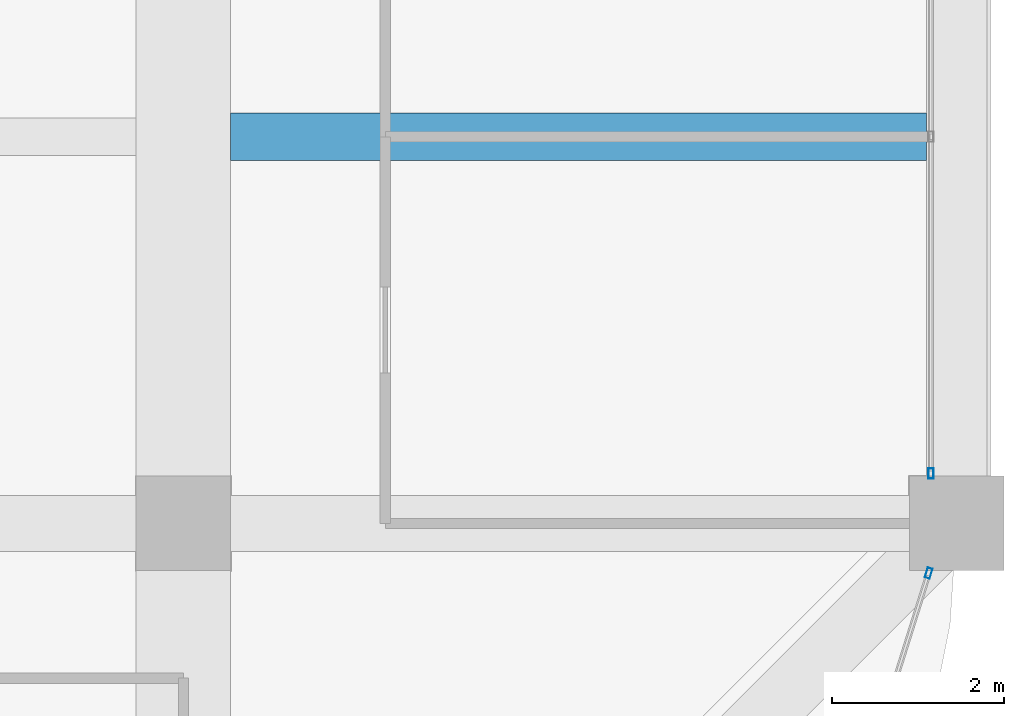
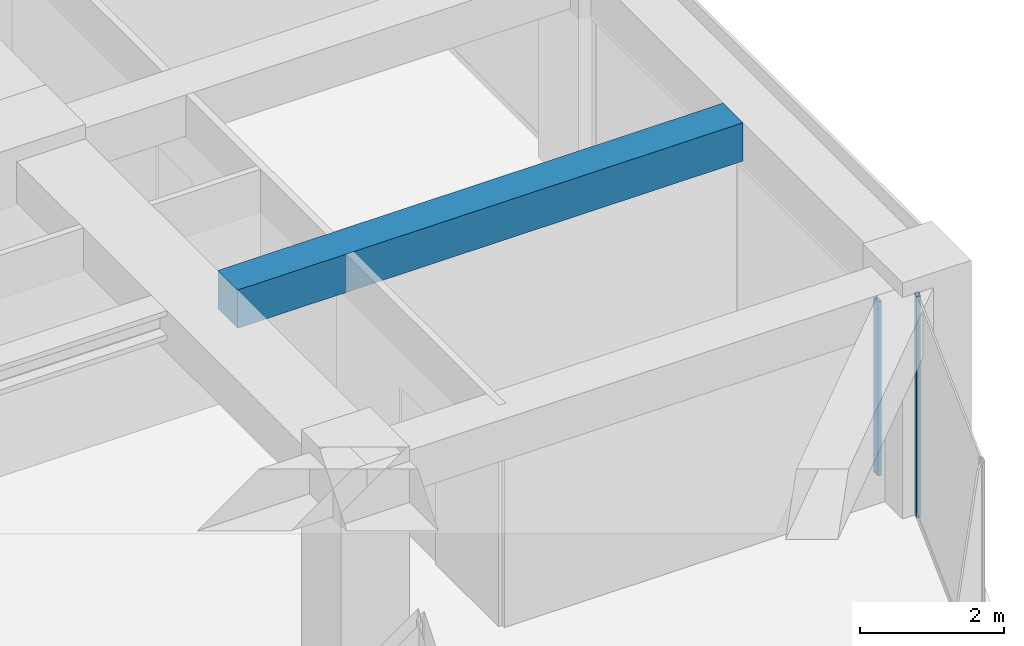
# One storey, part 22 of 44: 2 members, 1 beam, 2 elements without a shape of their own.
"""IFC4 building model written with IfcOpenShell, lengths in metres."""

from ifc_helpers import new_model, si_unit, direction, frame, origin, origin_2d, place, context, subcontext, project, spatial, rectangle, hollow_rectangle, extrude, material, material_profile, profile_set, type_object, element, aggregate, save


model = new_model("IFC4")

# Units and contexts
model_context = context("Model", 3, precision=1e-05, world=origin(), true_north=direction((0.0, 1.0)))
body_context = subcontext(model_context, "Body", "Model", "MODEL_VIEW")
ifc_project = project(units=[si_unit("LENGTHUNIT", "METRE"), si_unit("AREAUNIT", "SQUARE_METRE"), si_unit("VOLUMEUNIT", "CUBIC_METRE"), si_unit("PLANEANGLEUNIT", "RADIAN"), si_unit("MASSUNIT", "GRAM", prefix="KILO")], contexts=[model_context])

# Site, building, storey
site_placement = place(None, origin())
site = spatial("IfcSite", under=ifc_project, at=site_placement, CompositionType="ELEMENT")
building_placement = place(site_placement, origin())
building = spatial("IfcBuilding", under=site, at=building_placement, Name="Zorevar Civic Tower", CompositionType="ELEMENT")
storey_placement = place(building_placement, frame((0.0, 0.0, 287.39990234375)))
storey = spatial("IfcBuildingStorey", under=building, at=storey_placement, Name="L70", CompositionType="ELEMENT", Elevation=287.39990234375)

# Beam
ifc_material_1 = material(Name="Concrete C50/60", Category="concrete")
ifc_material_profile_1 = material_profile(ifc_material_1, rectangle(XDim=0.550048828125, YDim=0.64990234375, at=origin_2d()), Name="RC 550x650")
ifc_profile_set_1 = profile_set([ifc_material_profile_1], Name="Concrete C50/60")
beam_type = type_object("IfcBeamType", Name="Beam RC 550x650", PredefinedType="BEAM", material=ifc_profile_set_1)
beam_placement = place(storey_placement, frame((45.550048828125, 13.5, 3.425048828125), z_axis=(1.0, 0.0, 0.0), x_axis=(0.0, 1.0, 0.0)))
element("IfcBeam", 1, at=beam_placement, inside=storey, type_object=beam_type, Name="Secondary beam L71", PredefinedType="BEAM", context=body_context, shape_type="SweptSolid", body=[
    extrude(rectangle(XDim=0.550048828125, YDim=0.64990234375, at=origin_2d()), origin(), (0.0, 0.0, 1.0), 8.099853515625),
])

# Curtain wall, member
ifc_material_2 = material(Name="Dark grey solar-control glass in black aluminium frame", Category="aluminium")
curtain_wall_type = type_object("IfcCurtainWallType", Name="Curtain wall CW5 top zone", PredefinedType="NOTDEFINED", material=ifc_material_2)
curtain_wall_1_placement = place(storey_placement, origin())
curtain_wall_1 = element("IfcCurtainWall", 2, at=curtain_wall_1_placement, inside=storey, type_object=curtain_wall_type, Name="CW5 L70", PredefinedType="NOTDEFINED")
ifc_material_3 = material(Name="Aluminium, black anodised", Category="aluminium")
ifc_material_profile_2 = material_profile(ifc_material_3, hollow_rectangle(XDim=0.06005859375, YDim=0.1201171875, WallThickness=0.0029296875, at=origin_2d()), Name="AL 120x60x3")
ifc_profile_set_2 = profile_set([ifc_material_profile_2], Name="Aluminium, black anodised")
member_type = type_object("IfcMemberType", Name="CW5 mullion AL 120x60x3", PredefinedType="MULLION", material=ifc_profile_set_2)
member_1_placement = place(storey_placement, frame((53.699951171875, 9.580078125, 0.0), z_axis=(0.0, 0.0, 1.0), x_axis=(-1.0, 0.0, 0.0)))
member_1 = element("IfcMember", 3, at=member_1_placement, type_object=member_type, Name="CW5 mullion 1", PredefinedType="MULLION", context=body_context, shape_type="SweptSolid", body=[
    extrude(hollow_rectangle(XDim=0.06005859375, YDim=0.1201171875, WallThickness=0.0029296875, at=origin_2d()), origin(), (0.0, 0.0, 1.0), 2.9501953125),
])
aggregate(curtain_wall_1, [member_1])

curtain_wall_2_placement = place(storey_placement, origin())
curtain_wall_2 = element("IfcCurtainWall", 4, at=curtain_wall_2_placement, inside=storey, type_object=curtain_wall_type, Name="CW5 L70", PredefinedType="NOTDEFINED")
member_2_placement = place(storey_placement, frame((53.673583984375, 8.42138671875, 0.0), z_axis=(0.0, 0.0, 1.0), x_axis=(-0.954153437674, 0.299317920238, 0.0)))
member_2 = element("IfcMember", 5, at=member_2_placement, type_object=member_type, Name="CW5 mullion 2", PredefinedType="MULLION", context=body_context, shape_type="SweptSolid", body=[
    extrude(hollow_rectangle(XDim=0.06005859375, YDim=0.1201171875, WallThickness=0.0029296875, at=origin_2d()), origin(), (0.0, 0.0, 1.0), 3.75),
])
aggregate(curtain_wall_2, [member_2])

save(model, "model.ifc")
